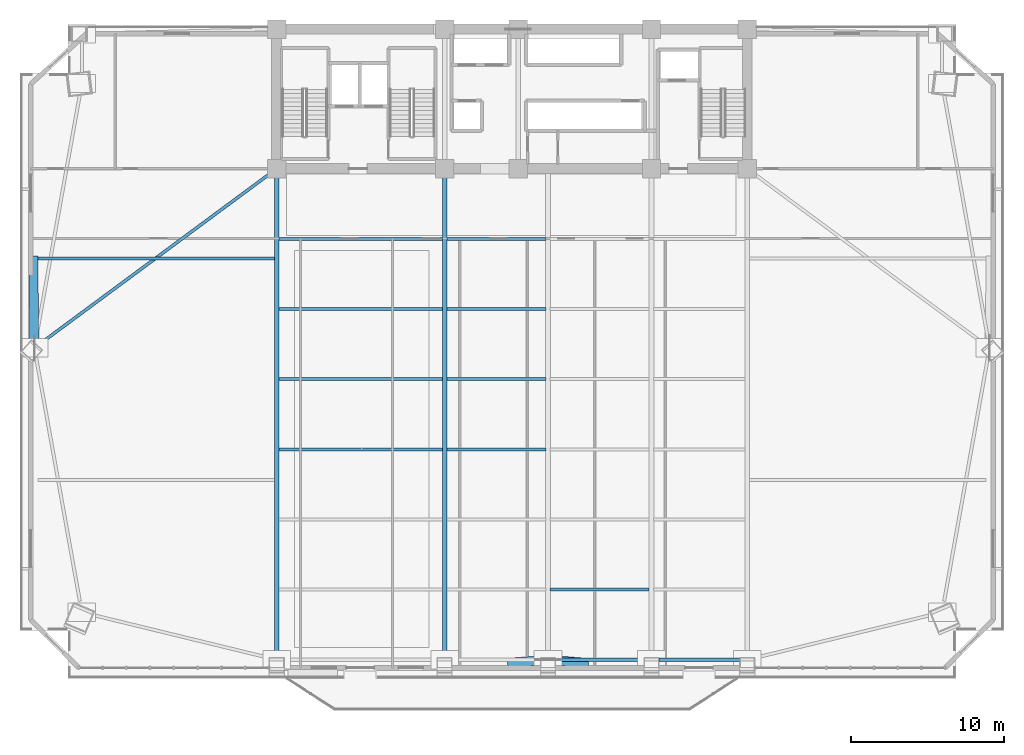
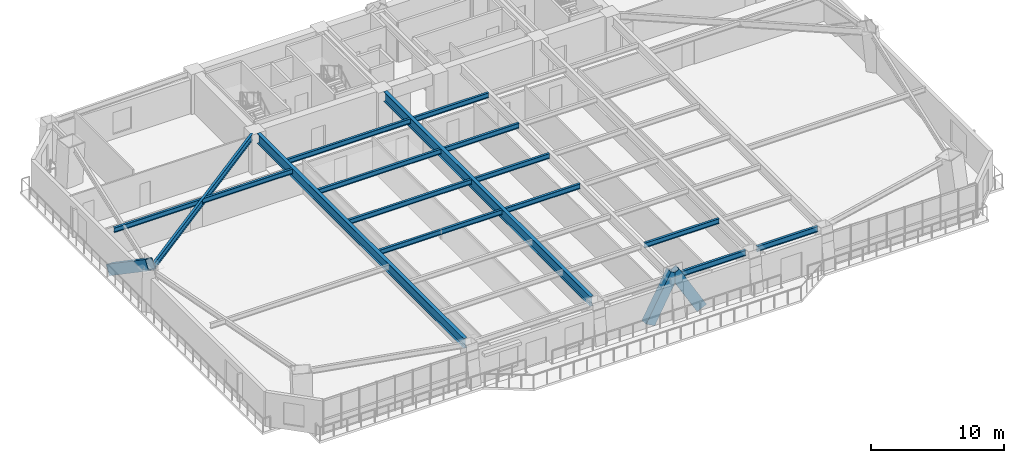
# One storey, part 5 of 18: 15 beams, 3 members.
"""IFC4 building model written with IfcOpenShell, lengths in metres."""

from ifc_helpers import new_model, si_unit, direction, frame, origin, origin_2d, place, context, subcontext, project, spatial, hollow_rectangle, i_section, extrude, source, transform, mapped, material, material_profile, profile_set, type_object, element, save


model = new_model("IFC4")

# Units and contexts
model_context = context("Model", 3, precision=1e-05, world=origin(), true_north=direction((0.0, 1.0)))
body_context = subcontext(model_context, "Body", "Model", "MODEL_VIEW")
ifc_project = project(units=[si_unit("LENGTHUNIT", "METRE"), si_unit("AREAUNIT", "SQUARE_METRE"), si_unit("VOLUMEUNIT", "CUBIC_METRE"), si_unit("PLANEANGLEUNIT", "RADIAN"), si_unit("MASSUNIT", "GRAM", prefix="KILO")], contexts=[model_context])

# Site, building, storey
site_placement = place(None, origin())
site = spatial("IfcSite", under=ifc_project, at=site_placement, CompositionType="ELEMENT")
building_placement = place(site_placement, origin())
building = spatial("IfcBuilding", under=site, at=building_placement, Name="Giltprow Tower", CompositionType="ELEMENT")
storey_placement = place(building_placement, frame((0.0, 0.0, 68.89990234375)))
storey = spatial("IfcBuildingStorey", under=building, at=storey_placement, Name="L17", CompositionType="ELEMENT", Elevation=68.89990234375)

# Beams
ifc_material_1 = material(Name="Structural steel Q355B", Category="steel")
ifc_material_profile_1 = material_profile(ifc_material_1, i_section(OverallWidth=0.199951171875, OverallDepth=0.449951171875, WebThickness=0.009033203125, FlangeThickness=0.013916015625, at=origin_2d()), Name="HN 450x200x9x14")
ifc_profile_set_1 = profile_set([ifc_material_profile_1], Name="Structural steel Q355B")
beam_type_1 = type_object("IfcBeamType", Name="BM-JOIST-HN450", PredefinedType="JOIST", material=ifc_profile_set_1)
shared_shape_1 = source(origin(), body_context, "Body", "SweptSolid", [
    extrude(i_section(OverallWidth=0.199951171875, OverallDepth=0.449951171875, WebThickness=0.009033203125, FlangeThickness=0.013916015625, at=origin_2d()), origin(), (0.0, 0.0, 1.0), 10.659912109375),
])
for number, where, z_axis, x_axis, name in (
    (1, (19.9951171875, 19.14111328125, 3.4150390625), (1.0, 0.0, 0.0), (0.0, 1.0, 0.0), "L17 Composite Floor Joist 3-1"),
    (2, (19.9951171875, 23.718017578125, 3.4150390625), (1.0, 0.0, 0.0), (0.0, 1.0, 0.0), "L17 Composite Floor Joist 4-1"),
    (3, (19.9951171875, 28.294921875, 3.4150390625), (1.0, 0.0, 0.0), (0.0, 1.0, 0.0), "L17 Composite Floor Joist 5-1"),
    (4, (19.9951171875, 32.873046875, 3.4150390625), (1.0, 0.0, 0.0), (0.0, 1.0, 0.0), "L17 Composite Floor Joist 6-1"),
):
    element("IfcBeam", number, at=place(storey_placement, frame(where, z_axis=z_axis, x_axis=x_axis)), inside=storey, type_object=beam_type_1, Name=name, PredefinedType="JOIST", context=body_context, shape_type="MappedRepresentation", body=[
        mapped(shared_shape_1, transform((0.0, 0.0, 0.0), x_axis=(1.0, 0.0, 0.0), y_axis=(0.0, 1.0, 0.0), z_axis=(0.0, 0.0, 1.0), scale=1.0)),
    ])
shared_shape_2 = source(origin(), body_context, "Body", "SweptSolid", [
    extrude(i_section(OverallWidth=0.199951171875, OverallDepth=0.449951171875, WebThickness=0.009033203125, FlangeThickness=0.013916015625, at=origin_2d()), origin(), (0.0, 0.0, 1.0), 6.4599609375),
])
for number, where, z_axis, x_axis, name in (
    (5, (37.695068359375, 9.986083984375, 3.4150390625), (1.0, 0.0, 0.0), (0.0, 1.0, 0.0), "L17 Composite Floor Joist 1-3"),
    (6, (30.945068359375, 19.14111328125, 3.4150390625), (1.0, 0.0, 0.0), (0.0, 1.0, 0.0), "L17 Composite Floor Joist 3-2"),
    (7, (30.945068359375, 23.718017578125, 3.4150390625), (1.0, 0.0, 0.0), (0.0, 1.0, 0.0), "L17 Composite Floor Joist 4-2"),
    (8, (30.945068359375, 28.294921875, 3.4150390625), (1.0, 0.0, 0.0), (0.0, 1.0, 0.0), "L17 Composite Floor Joist 5-2"),
    (9, (30.945068359375, 32.873046875, 3.4150390625), (1.0, 0.0, 0.0), (0.0, 1.0, 0.0), "L17 Composite Floor Joist 6-2"),
):
    element("IfcBeam", number, at=place(storey_placement, frame(where, z_axis=z_axis, x_axis=x_axis)), inside=storey, type_object=beam_type_1, Name=name, PredefinedType="JOIST", context=body_context, shape_type="MappedRepresentation", body=[
        mapped(shared_shape_2, transform((0.0, 0.0, 0.0), x_axis=(1.0, 0.0, 0.0), y_axis=(0.0, 1.0, 0.0), z_axis=(0.0, 0.0, 1.0), scale=1.0)),
    ])
ifc_material_profile_2 = material_profile(ifc_material_1, i_section(OverallWidth=0.199951171875, OverallDepth=0.5, WebThickness=0.010009765625, FlangeThickness=0.01611328125, at=origin_2d()), Name="HN 500x200x10x16")
ifc_profile_set_2 = profile_set([ifc_material_profile_2], Name="Structural steel Q355B")
beam_type_2 = type_object("IfcBeamType", Name="BM-SPAN-HN500", PredefinedType="SPANDREL", material=ifc_profile_set_2)
shared_shape_3 = source(origin(), body_context, "Body", "SweptSolid", [
    extrude(i_section(OverallWidth=0.199951171875, OverallDepth=0.5, WebThickness=0.010009765625, FlangeThickness=0.01611328125, at=origin_2d()), origin(), (0.0, 0.0, 1.0), 5.780029296875),
])
beam_1_placement = place(storey_placement, frame((38.034912109375, 5.408935546875, 3.39013671875), z_axis=(1.0, 0.0, 0.0), x_axis=(0.0, 1.0, 0.0)))
element("IfcBeam", 10, at=beam_1_placement, inside=storey, type_object=beam_type_2, Name="L17 Perimeter Spandrel Beam S_MID-S3", PredefinedType="SPANDREL", context=body_context, shape_type="MappedRepresentation", body=[
    mapped(shared_shape_3, transform((0.0, 0.0, 0.0), x_axis=(1.0, 0.0, 0.0), y_axis=(0.0, 1.0, 0.0), z_axis=(0.0, 0.0, 1.0), scale=1.0)),
])
shared_shape_4 = source(origin(), body_context, "Body", "SweptSolid", [
    extrude(i_section(OverallWidth=0.199951171875, OverallDepth=0.5, WebThickness=0.010009765625, FlangeThickness=0.01611328125, at=origin_2d()), origin(), (0.0, 0.0, 1.0), 5.280029296875),
])
beam_2_placement = place(storey_placement, frame((44.784912109375, 5.408935546875, 3.39013671875), z_axis=(1.0, 0.0, 0.0), x_axis=(0.0, 1.0, 0.0)))
element("IfcBeam", 11, at=beam_2_placement, inside=storey, type_object=beam_type_2, Name="L17 Perimeter Spandrel Beam S3-S4", PredefinedType="SPANDREL", context=body_context, shape_type="MappedRepresentation", body=[
    mapped(shared_shape_4, transform((0.0, 0.0, 0.0), x_axis=(1.0, 0.0, 0.0), y_axis=(0.0, 1.0, 0.0), z_axis=(0.0, 0.0, 1.0), scale=1.0)),
])
ifc_material_profile_3 = material_profile(ifc_material_1, i_section(OverallWidth=0.300048828125, OverallDepth=0.89990234375, WebThickness=0.01611328125, FlangeThickness=0.028076171875, at=origin_2d()), Name="HN 900x300x16x28")
ifc_profile_set_3 = profile_set([ifc_material_profile_3], Name="Structural steel Q355B")
beam_type_3 = type_object("IfcBeamType", Name="BM-GIRD-HN900", PredefinedType="BEAM", material=ifc_profile_set_3)
shared_shape_5 = source(origin(), body_context, "Body", "SweptSolid", [
    extrude(i_section(OverallWidth=0.300048828125, OverallDepth=0.89990234375, WebThickness=0.01611328125, FlangeThickness=0.028076171875, at=origin_2d()), origin(), (0.0, 0.0, 1.0), 30.970947265625),
])
for number, where, z_axis, x_axis, name in (
    (12, (19.85009765625, 5.89404296875, 3.190185546875), (0.0, 1.0, 0.0), (-1.0, 0.0, 0.0), "L17 Primary Lease Girder S1"),
    (13, (30.800048828125, 5.89404296875, 3.190185546875), (0.0, 1.0, 0.0), (-1.0, 0.0, 0.0), "L17 Primary Lease Girder S2"),
):
    element("IfcBeam", number, at=place(storey_placement, frame(where, z_axis=z_axis, x_axis=x_axis)), inside=storey, type_object=beam_type_3, Name=name, PredefinedType="BEAM", context=body_context, shape_type="MappedRepresentation", body=[
        mapped(shared_shape_5, transform((0.0, 0.0, 0.0), x_axis=(1.0, 0.0, 0.0), y_axis=(0.0, 1.0, 0.0), z_axis=(0.0, 0.0, 1.0), scale=1.0)),
    ])
ifc_material_profile_4 = material_profile(ifc_material_1, i_section(OverallWidth=0.199951171875, OverallDepth=0.60009765625, WebThickness=0.010986328125, FlangeThickness=0.01708984375, at=origin_2d()), Name="HN 600x200x11x17")
ifc_profile_set_4 = profile_set([ifc_material_profile_4], Name="Structural steel Q355B")
beam_type_4 = type_object("IfcBeamType", Name="BM-GIRD-HN600", PredefinedType="BEAM", material=ifc_profile_set_4)
shared_shape_6 = source(origin(), body_context, "Body", "SweptSolid", [
    extrude(i_section(OverallWidth=0.199951171875, OverallDepth=0.60009765625, WebThickness=0.010986328125, FlangeThickness=0.01708984375, at=origin_2d()), origin(), (0.0, 0.0, 1.0), 18.595703125),
])
beam_3_placement = place(storey_placement, frame((4.429931640625, 26.04296875, 3.340087890625), z_axis=(0.80394170269, 0.594708112166, 0.0), x_axis=(-0.594708112166, 0.80394170269, 0.0)))
element("IfcBeam", 14, at=beam_3_placement, inside=storey, type_object=beam_type_4, Name="L17 West Wing Primary Girder", PredefinedType="BEAM", context=body_context, shape_type="MappedRepresentation", body=[
    mapped(shared_shape_6, transform((0.0, 0.0, 0.0), x_axis=(1.0, 0.0, 0.0), y_axis=(0.0, 1.0, 0.0), z_axis=(0.0, 0.0, 1.0), scale=1.0)),
])
shared_shape_7 = source(origin(), body_context, "Body", "SweptSolid", [
    extrude(i_section(OverallWidth=0.199951171875, OverallDepth=0.449951171875, WebThickness=0.009033203125, FlangeThickness=0.013916015625, at=origin_2d()), origin(), (0.0, 0.0, 1.0), 15.445068359375),
])
beam_4_placement = place(storey_placement, frame((4.260009765625, 31.60205078125, 3.4150390625), z_axis=(1.0, 0.0, 0.0), x_axis=(0.0, 1.0, 0.0)))
element("IfcBeam", 15, at=beam_4_placement, inside=storey, type_object=beam_type_1, Name="L17 West Wing Floor Joist 2", PredefinedType="JOIST", context=body_context, shape_type="MappedRepresentation", body=[
    mapped(shared_shape_7, transform((0.0, 0.0, 0.0), x_axis=(1.0, 0.0, 0.0), y_axis=(0.0, 1.0, 0.0), z_axis=(0.0, 0.0, 1.0), scale=1.0)),
])

# Members
ifc_material_2 = material(Name="Structural steel Q420GJC", Category="steel")
ifc_material_profile_5 = material_profile(ifc_material_2, hollow_rectangle(XDim=0.60009765625, YDim=0.89990234375, WallThickness=0.0400390625, at=origin_2d()), Name="RHS 900x600x40")
ifc_profile_set_5 = profile_set([ifc_material_profile_5], Name="Structural steel Q420GJC")
member_type = type_object("IfcMemberType", Name="MBR-MEGA-RHS900", PredefinedType="BRACE", material=ifc_profile_set_5)
shared_shape_8 = source(origin(), body_context, "Body", "SweptSolid", [
    extrude(hollow_rectangle(XDim=0.60009765625, YDim=0.89990234375, WallThickness=0.0400390625, at=origin_2d()), origin(), (0.0, 0.0, 1.0), 4.506103515625),
])
for number, where, z_axis, x_axis, name in (
    (16, (35.300048828125, 5.23291015625, 0.0), (0.499326947397, 0.039064098207, 0.865532550419), (-0.077995186993, 0.996953735539, 0.0), "L17 Chevron Mega-Brace S-L"),
    (17, (39.800048828125, 5.23291015625, 0.0), (-0.499326947397, 0.039064098207, 0.865532550419), (-0.077995186993, -0.996953735539, 0.0), "L17 Chevron Mega-Brace S-R"),
):
    element("IfcMember", number, at=place(storey_placement, frame(where, z_axis=z_axis, x_axis=x_axis)), inside=storey, type_object=member_type, Name=name, PredefinedType="BRACE", context=body_context, shape_type="MappedRepresentation", body=[
        mapped(shared_shape_8, transform((0.0, 0.0, 0.0), x_axis=(1.0, 0.0, 0.0), y_axis=(0.0, 1.0, 0.0), z_axis=(0.0, 0.0, 1.0), scale=1.0)),
    ])
shared_shape_9 = source(origin(), body_context, "Body", "SweptSolid", [
    extrude(hollow_rectangle(XDim=0.60009765625, YDim=0.89990234375, WallThickness=0.0400390625, at=origin_2d()), origin(), (0.0, 0.0, 1.0), 6.941162109375),
])
member_placement = place(storey_placement, frame((3.9619140625, 31.49609375, 0.0), z_axis=(0.011255434635, -0.827133752764, 0.561892400936), x_axis=(0.999907427339, 0.013606496715, 0.0)))
element("IfcMember", 18, at=member_placement, inside=storey, type_object=member_type, Name="L17 Chevron Mega-Brace W-R", PredefinedType="BRACE", context=body_context, shape_type="MappedRepresentation", body=[
    mapped(shared_shape_9, transform((0.0, 0.0, 0.0), x_axis=(1.0, 0.0, 0.0), y_axis=(0.0, 1.0, 0.0), z_axis=(0.0, 0.0, 1.0), scale=1.0)),
])

save(model, "model.ifc")
